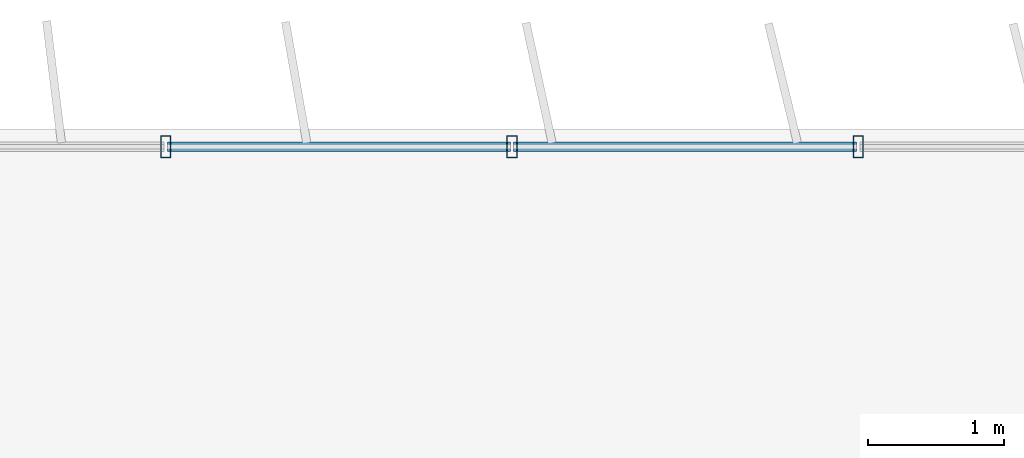
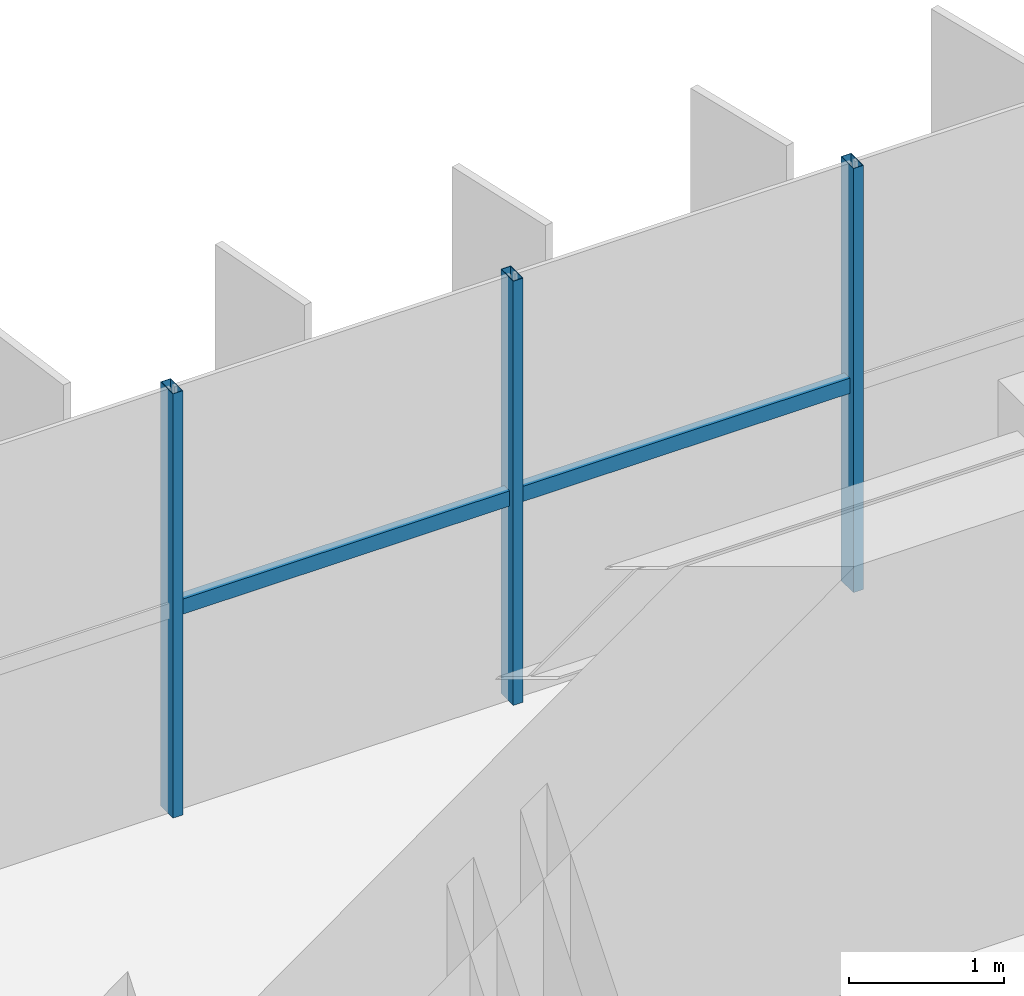
# One storey, part 6 of 20: 5 members, 1 element without a shape of its own.
"""IFC4 building model written with IfcOpenShell, lengths in metres."""

from ifc_helpers import new_model, si_unit, direction, frame, origin, origin_2d, place, context, subcontext, project, spatial, hollow_rectangle, extrude, source, transform, mapped, material, material_profile, profile_set, type_object, element, aggregate, save


model = new_model("IFC4")

# Units and contexts
model_context = context("Model", 3, precision=1e-05, world=origin(), true_north=direction((0.0, 1.0)))
body_context = subcontext(model_context, "Body", "Model", "MODEL_VIEW")
ifc_project = project(units=[si_unit("LENGTHUNIT", "METRE"), si_unit("AREAUNIT", "SQUARE_METRE"), si_unit("VOLUMEUNIT", "CUBIC_METRE"), si_unit("PLANEANGLEUNIT", "RADIAN"), si_unit("MASSUNIT", "GRAM", prefix="KILO")], contexts=[model_context])

# Site, building, storey
site_placement = place(None, origin())
site = spatial("IfcSite", under=ifc_project, at=site_placement, CompositionType="ELEMENT")
building_placement = place(site_placement, origin())
building = spatial("IfcBuilding", under=site, at=building_placement, Name="Trelvane Seafront Commons", CompositionType="ELEMENT")
storey_placement = place(building_placement, frame((0.0, 0.0, 168.10009765625)))
storey = spatial("IfcBuildingStorey", under=building, at=storey_placement, Name="L44", CompositionType="ELEMENT", Elevation=168.10009765625)

# Curtain wall, members
ifc_material = material(Name="Anodised pale-silver aluminium", Category="aluminium")
curtain_wall_type = type_object("IfcCurtainWallType", Name="ARCH-CW5-UPTOWER", PredefinedType="NOTDEFINED", material=ifc_material)
curtain_wall_placement = place(storey_placement, origin())
curtain_wall = element("IfcCurtainWall", 1, at=curtain_wall_placement, inside=storey, type_object=curtain_wall_type, Name="CW-L44-0071", PredefinedType="NOTDEFINED")
ifc_material_profile_1 = material_profile(ifc_material, hollow_rectangle(XDim=0.070068359375, YDim=0.1201171875, WallThickness=0.00390625, at=origin_2d()), Name="TRAN-70x120x4")
ifc_profile_set_1 = profile_set([ifc_material_profile_1], Name="Anodised pale-silver aluminium")
member_type_1 = type_object("IfcMemberType", Name="ARCH-CW-TRAN-120", PredefinedType="USERDEFINED", material=ifc_profile_set_1)
shared_shape_1 = source(origin(), body_context, "Body", "SweptSolid", [
    extrude(hollow_rectangle(XDim=0.070068359375, YDim=0.1201171875, WallThickness=0.00390625, at=origin_2d()), origin(), (0.0, 0.0, 1.0), 2.517333984375),
])
member_1_placement = place(storey_placement, frame((25.776611328125, 48.3701171875, 1.60791015625), z_axis=(1.0, 0.0, 0.0), x_axis=(0.0, 1.0, 0.0)))
member_1 = element("IfcMember", 2, at=member_1_placement, type_object=member_type_1, Name="CW-L44-0071-T04", ObjectType="TRANSOM", PredefinedType="USERDEFINED", context=body_context, shape_type="MappedRepresentation", body=[
    mapped(shared_shape_1, transform((0.0, 0.0, 0.0), x_axis=(1.0, 0.0, 0.0), y_axis=(0.0, 1.0, 0.0), z_axis=(0.0, 0.0, 1.0), scale=1.0)),
])
member_2_placement = place(storey_placement, frame((28.31787109375, 48.3701171875, 1.60791015625), z_axis=(1.0, 0.0, 0.0), x_axis=(0.0, 1.0, 0.0)))
member_2 = element("IfcMember", 3, at=member_2_placement, type_object=member_type_1, Name="CW-L44-0071-T05", ObjectType="TRANSOM", PredefinedType="USERDEFINED", context=body_context, shape_type="MappedRepresentation", body=[
    mapped(shared_shape_1, transform((0.0, 0.0, 0.0), x_axis=(1.0, 0.0, 0.0), y_axis=(0.0, 1.0, 0.0), z_axis=(0.0, 0.0, 1.0), scale=1.0)),
])
ifc_material_profile_2 = material_profile(ifc_material, hollow_rectangle(XDim=0.074951171875, YDim=0.159912109375, WallThickness=0.00390625, at=origin_2d()), Name="MULL-75x160x4")
ifc_profile_set_2 = profile_set([ifc_material_profile_2], Name="Anodised pale-silver aluminium")
member_type_2 = type_object("IfcMemberType", Name="ARCH-CW-MULL-160", PredefinedType="MULLION", material=ifc_profile_set_2)
shared_shape_2 = source(origin(), body_context, "Body", "SweptSolid", [
    extrude(hollow_rectangle(XDim=0.074951171875, YDim=0.159912109375, WallThickness=0.00390625, at=origin_2d()), origin(), (0.0, 0.0, 1.0), 3.349853515625),
])
member_3_placement = place(storey_placement, frame((25.7646484375, 48.3701171875, 0.0), z_axis=(0.0, 0.0, 1.0), x_axis=(1.0, 0.0, 0.0)))
member_3 = element("IfcMember", 4, at=member_3_placement, type_object=member_type_2, Name="CW-L44-0071-M04", PredefinedType="MULLION", context=body_context, shape_type="MappedRepresentation", body=[
    mapped(shared_shape_2, transform((0.0, 0.0, 0.0), x_axis=(1.0, 0.0, 0.0), y_axis=(0.0, 1.0, 0.0), z_axis=(0.0, 0.0, 1.0), scale=1.0)),
])
member_4_placement = place(storey_placement, frame((28.305908203125, 48.3701171875, 0.0), z_axis=(0.0, 0.0, 1.0), x_axis=(1.0, 0.0, 0.0)))
member_4 = element("IfcMember", 5, at=member_4_placement, type_object=member_type_2, Name="CW-L44-0071-M05", PredefinedType="MULLION", context=body_context, shape_type="MappedRepresentation", body=[
    mapped(shared_shape_2, transform((0.0, 0.0, 0.0), x_axis=(1.0, 0.0, 0.0), y_axis=(0.0, 1.0, 0.0), z_axis=(0.0, 0.0, 1.0), scale=1.0)),
])
member_5_placement = place(storey_placement, frame((30.84716796875, 48.3701171875, 0.0), z_axis=(0.0, 0.0, 1.0), x_axis=(1.0, 0.0, 0.0)))
member_5 = element("IfcMember", 6, at=member_5_placement, type_object=member_type_2, Name="CW-L44-0071-M06", PredefinedType="MULLION", context=body_context, shape_type="MappedRepresentation", body=[
    mapped(shared_shape_2, transform((0.0, 0.0, 0.0), x_axis=(1.0, 0.0, 0.0), y_axis=(0.0, 1.0, 0.0), z_axis=(0.0, 0.0, 1.0), scale=1.0)),
])
aggregate(curtain_wall, [member_3, member_4, member_5, member_1, member_2])

save(model, "model.ifc")
